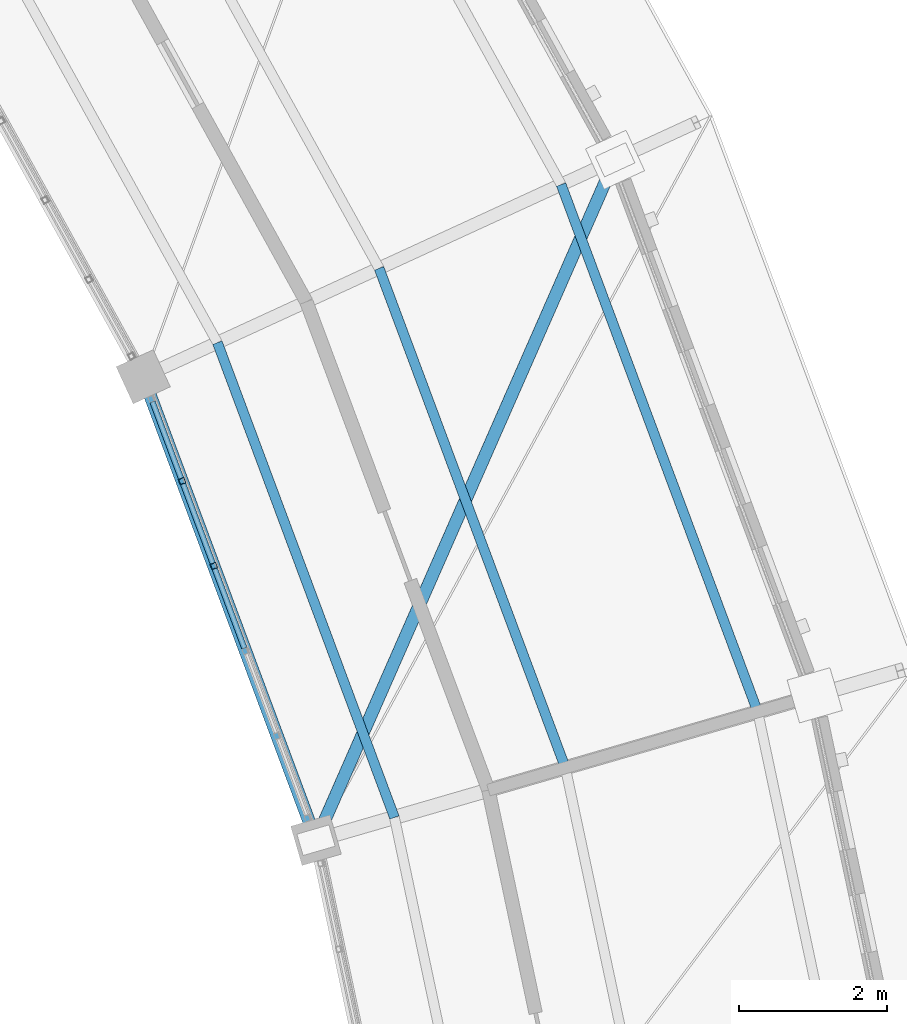
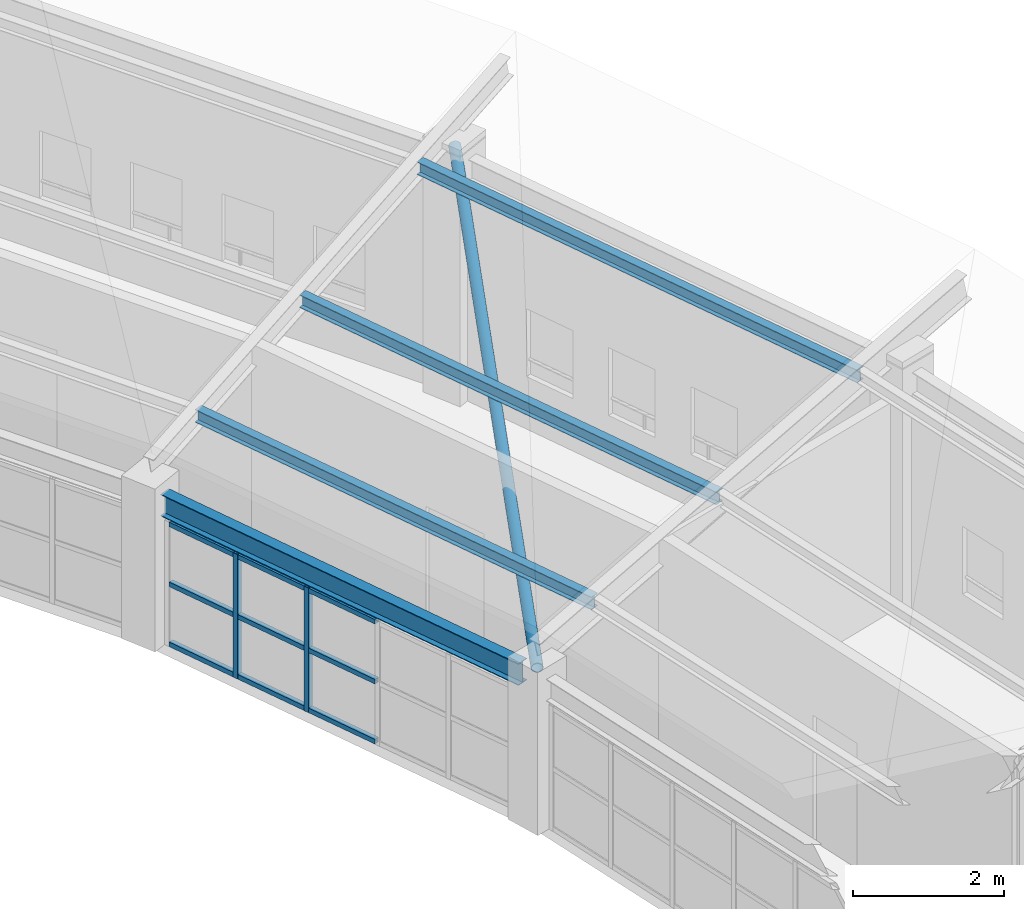
# One storey, part 98 of 149: 15 members, 1 beam, 1 element without a shape of its own.
"""IFC4 building model written with IfcOpenShell, lengths in metres."""

from ifc_helpers import new_model, si_unit, direction, frame, origin, origin_2d, place, context, subcontext, project, spatial, hollow_rectangle, hollow_circle, i_section, extrude, material, material_profile, profile_set, type_object, element, aggregate, save


model = new_model("IFC4")

# Units and contexts
model_context = context("Model", 3, precision=1e-05, world=origin(), true_north=direction((0.0, 1.0)))
body_context = subcontext(model_context, "Body", "Model", "MODEL_VIEW")
ifc_project = project(units=[si_unit("LENGTHUNIT", "METRE"), si_unit("AREAUNIT", "SQUARE_METRE"), si_unit("VOLUMEUNIT", "CUBIC_METRE"), si_unit("PLANEANGLEUNIT", "RADIAN"), si_unit("MASSUNIT", "GRAM", prefix="KILO")], contexts=[model_context])

# Site, building, storey
site_placement = place(None, origin())
site = spatial("IfcSite", under=ifc_project, at=site_placement, CompositionType="ELEMENT")
building_placement = place(site_placement, origin())
building = spatial("IfcBuilding", under=site, at=building_placement, Name="Celadon Cloister-Ring School", CompositionType="ELEMENT")
storey_placement = place(building_placement, frame((0.0, 0.0, 12.5)))
storey = spatial("IfcBuildingStorey", under=building, at=storey_placement, Name="L03", CompositionType="ELEMENT", Elevation=12.5)

# Curtain wall, members
ifc_material_1 = material(Name="Aluminium EN AW-6063 T6", Category="aluminium")
curtain_wall_type = type_object("IfcCurtainWallType", Name="CW-02", PredefinedType="USERDEFINED", material=ifc_material_1)
curtain_wall_placement = place(storey_placement, origin())
curtain_wall = element("IfcCurtainWall", 1, at=curtain_wall_placement, inside=storey, type_object=curtain_wall_type, Name="Curtain Wall 0074", ObjectType="CURTAIN WALL", PredefinedType="USERDEFINED")
ifc_material_2 = material(Name="Aluminium EN AW-6063 T6", Category="aluminium")
ifc_material_profile_1 = material_profile(ifc_material_2, hollow_rectangle(XDim=0.080078125, YDim=0.080078125, WallThickness=0.00390625, at=origin_2d()), Name="RHS80X80X4")
ifc_profile_set_1 = profile_set([ifc_material_profile_1], Name="Aluminium EN AW-6063 T6")
member_type_1 = type_object("IfcMemberType", Name="CM-03", PredefinedType="MULLION", material=ifc_profile_set_1)
member_1_placement = place(storey_placement, frame((128.8349609375, 75.25048828125, 0.0), z_axis=(0.0, 0.0, 1.0), x_axis=(-0.93694659603, -0.349472568576, 0.0)))
member_1 = element("IfcMember", 2, at=member_1_placement, type_object=member_type_1, Name="CW-02 mullion 4", PredefinedType="MULLION", context=body_context, shape_type="SweptSolid", body=[
    extrude(hollow_rectangle(XDim=0.080078125, YDim=0.080078125, WallThickness=0.00390625, at=origin_2d()), origin(), (0.0, 0.0, 1.0), 2.02001953125),
])
member_2_placement = place(storey_placement, frame((128.407958984375, 76.395263671875, 0.0), z_axis=(0.0, 0.0, 1.0), x_axis=(-0.93694659603, -0.349472568576, 0.0)))
member_2 = element("IfcMember", 3, at=member_2_placement, type_object=member_type_1, Name="CW-02 mullion 5", PredefinedType="MULLION", context=body_context, shape_type="SweptSolid", body=[
    extrude(hollow_rectangle(XDim=0.080078125, YDim=0.080078125, WallThickness=0.00390625, at=origin_2d()), origin(), (0.0, 0.0, 1.0), 2.02001953125),
])
ifc_material_3 = material(Name="Aluminium EN AW-6063 T6", Category="aluminium")
ifc_material_profile_2 = material_profile(ifc_material_3, hollow_rectangle(XDim=0.074951171875, YDim=0.074951171875, WallThickness=0.00390625, at=origin_2d()), Name="RHS75X75X4")
ifc_profile_set_2 = profile_set([ifc_material_profile_2], Name="Aluminium EN AW-6063 T6")
member_type_2 = type_object("IfcMemberType", Name="CTM-03", PredefinedType="USERDEFINED", material=ifc_profile_set_2)
member_3_placement = place(storey_placement, frame((129.248046875, 74.14306640625, 0.03759765625), z_axis=(-0.349576513866, 0.936907818813, 0.0), x_axis=(-0.936907818813, -0.349576513866, 0.0)))
member_3 = element("IfcMember", 4, at=member_3_placement, type_object=member_type_2, Name="CW-02 transom 3.1", ObjectType="TRANSOM", PredefinedType="USERDEFINED", context=body_context, shape_type="SweptSolid", body=[
    extrude(hollow_rectangle(XDim=0.074951171875, YDim=0.074951171875, WallThickness=0.00390625, at=origin_2d()), origin(), (0.0, 0.0, 1.0), 1.141845703125),
])
member_4_placement = place(storey_placement, frame((129.248046875, 74.14306640625, 1.010009765625), z_axis=(-0.349576513866, 0.936907818813, 0.0), x_axis=(-0.936907818813, -0.349576513866, 0.0)))
member_4 = element("IfcMember", 5, at=member_4_placement, type_object=member_type_2, Name="CW-02 transom 3.2", ObjectType="TRANSOM", PredefinedType="USERDEFINED", context=body_context, shape_type="SweptSolid", body=[
    extrude(hollow_rectangle(XDim=0.074951171875, YDim=0.074951171875, WallThickness=0.00390625, at=origin_2d()), origin(), (0.0, 0.0, 1.0), 1.141845703125),
])
member_5_placement = place(storey_placement, frame((129.248046875, 74.14306640625, 1.982421875), z_axis=(-0.349576513866, 0.936907818813, 0.0), x_axis=(-0.936907818813, -0.349576513866, 0.0)))
member_5 = element("IfcMember", 6, at=member_5_placement, type_object=member_type_2, Name="CW-02 transom 3.3", ObjectType="TRANSOM", PredefinedType="USERDEFINED", context=body_context, shape_type="SweptSolid", body=[
    extrude(hollow_rectangle(XDim=0.074951171875, YDim=0.074951171875, WallThickness=0.00390625, at=origin_2d()), origin(), (0.0, 0.0, 1.0), 1.141845703125),
])
member_6_placement = place(storey_placement, frame((128.821044921875, 75.287841796875, 0.03759765625), z_axis=(-0.349576513866, 0.936907818813, 0.0), x_axis=(-0.936907818813, -0.349576513866, 0.0)))
member_6 = element("IfcMember", 7, at=member_6_placement, type_object=member_type_2, Name="CW-02 transom 4.1", ObjectType="TRANSOM", PredefinedType="USERDEFINED", context=body_context, shape_type="SweptSolid", body=[
    extrude(hollow_rectangle(XDim=0.074951171875, YDim=0.074951171875, WallThickness=0.00390625, at=origin_2d()), origin(), (0.0, 0.0, 1.0), 1.141845703125),
])
member_7_placement = place(storey_placement, frame((128.821044921875, 75.287841796875, 1.010009765625), z_axis=(-0.349576513866, 0.936907818813, 0.0), x_axis=(-0.936907818813, -0.349576513866, 0.0)))
member_7 = element("IfcMember", 8, at=member_7_placement, type_object=member_type_2, Name="CW-02 transom 4.2", ObjectType="TRANSOM", PredefinedType="USERDEFINED", context=body_context, shape_type="SweptSolid", body=[
    extrude(hollow_rectangle(XDim=0.074951171875, YDim=0.074951171875, WallThickness=0.00390625, at=origin_2d()), origin(), (0.0, 0.0, 1.0), 1.141845703125),
])
member_8_placement = place(storey_placement, frame((128.821044921875, 75.287841796875, 1.982421875), z_axis=(-0.349576513866, 0.936907818813, 0.0), x_axis=(-0.936907818813, -0.349576513866, 0.0)))
member_8 = element("IfcMember", 9, at=member_8_placement, type_object=member_type_2, Name="CW-02 transom 4.3", ObjectType="TRANSOM", PredefinedType="USERDEFINED", context=body_context, shape_type="SweptSolid", body=[
    extrude(hollow_rectangle(XDim=0.074951171875, YDim=0.074951171875, WallThickness=0.00390625, at=origin_2d()), origin(), (0.0, 0.0, 1.0), 1.141845703125),
])
member_9_placement = place(storey_placement, frame((128.39404296875, 76.4326171875, 0.03759765625), z_axis=(-0.34939893342, 0.936974057979, 0.0), x_axis=(-0.936974057979, -0.34939893342, 0.0)))
member_9 = element("IfcMember", 10, at=member_9_placement, type_object=member_type_2, Name="CW-02 transom 5.1", ObjectType="TRANSOM", PredefinedType="USERDEFINED", context=body_context, shape_type="SweptSolid", body=[
    extrude(hollow_rectangle(XDim=0.074951171875, YDim=0.074951171875, WallThickness=0.00390625, at=origin_2d()), origin(), (0.0, 0.0, 1.0), 1.101806640625),
])
member_10_placement = place(storey_placement, frame((128.39404296875, 76.4326171875, 1.010009765625), z_axis=(-0.34939893342, 0.936974057979, 0.0), x_axis=(-0.936974057979, -0.34939893342, 0.0)))
member_10 = element("IfcMember", 11, at=member_10_placement, type_object=member_type_2, Name="CW-02 transom 5.2", ObjectType="TRANSOM", PredefinedType="USERDEFINED", context=body_context, shape_type="SweptSolid", body=[
    extrude(hollow_rectangle(XDim=0.074951171875, YDim=0.074951171875, WallThickness=0.00390625, at=origin_2d()), origin(), (0.0, 0.0, 1.0), 1.101806640625),
])
member_11_placement = place(storey_placement, frame((128.39404296875, 76.4326171875, 1.982421875), z_axis=(-0.34939893342, 0.936974057979, 0.0), x_axis=(-0.936974057979, -0.34939893342, 0.0)))
member_11 = element("IfcMember", 12, at=member_11_placement, type_object=member_type_2, Name="CW-02 transom 5.3", ObjectType="TRANSOM", PredefinedType="USERDEFINED", context=body_context, shape_type="SweptSolid", body=[
    extrude(hollow_rectangle(XDim=0.074951171875, YDim=0.074951171875, WallThickness=0.00390625, at=origin_2d()), origin(), (0.0, 0.0, 1.0), 1.101806640625),
])
aggregate(curtain_wall, [member_1, member_2, member_3, member_4, member_5, member_6, member_7, member_8, member_9, member_10, member_11])

# Beam
ifc_material_4 = material(Name="Structural steel S355JR", Category="steel")
ifc_material_profile_3 = material_profile(ifc_material_4, i_section(OverallWidth=0.1708984375, OverallDepth=0.35498046875, WebThickness=0.007080078125, FlangeThickness=0.01171875, at=origin_2d()), Name="W360X51")
ifc_profile_set_3 = profile_set([ifc_material_profile_3], Name="Structural steel S355JR")
beam_type = type_object("IfcBeamType", Name="GT-08", PredefinedType="USERDEFINED", material=ifc_profile_set_3)
beam_placement = place(storey_placement, frame((130.1259765625, 71.7890625, 2.27197265625), z_axis=(-0.349465513072, 0.936949227639, 0.0), x_axis=(-0.936949227639, -0.349465513072, 0.0)))
element("IfcBeam", 13, at=beam_placement, inside=storey, type_object=beam_type, Name="Beam 0582", ObjectType="GIRDER", PredefinedType="USERDEFINED", context=body_context, shape_type="SweptSolid", body=[
    extrude(i_section(OverallWidth=0.1708984375, OverallDepth=0.35498046875, WebThickness=0.007080078125, FlangeThickness=0.01171875, at=origin_2d()), origin(), (0.0, 0.0, 1.0), 6.166748046875),
])

# Members
ifc_material_5 = material(Name="Structural steel S355JR", Category="steel")
ifc_material_profile_4 = material_profile(ifc_material_5, hollow_circle(Radius=0.084228515625, WallThickness=0.008056640625, at=origin_2d()), Name="CHS168.3X8")
ifc_profile_set_4 = profile_set([ifc_material_profile_4], Name="Structural steel S355JR")
member_type_3 = type_object("IfcMemberType", Name="MB-09", PredefinedType="BRACE", material=ifc_profile_set_4)
member_12_placement = place(storey_placement, frame((130.212890625, 71.554931640625, 2.449951171875), z_axis=(0.39794310915, 0.905380225014, 0.14808082264), x_axis=(-0.915473075298, 0.40237923456, 0.0)))
element("IfcMember", 14, at=member_12_placement, inside=storey, type_object=member_type_3, Name="Structural Member 0234", PredefinedType="BRACE", context=body_context, shape_type="SweptSolid", body=[
    extrude(hollow_circle(Radius=0.084228515625, WallThickness=0.008056640625, at=origin_2d()), origin(), (0.0, 0.0, 1.0), 10.129638671875),
])
ifc_material_6 = material(Name="Structural steel S355JR", Category="steel")
ifc_material_profile_5 = material_profile(ifc_material_6, i_section(OverallWidth=0.133056640625, OverallDepth=0.20703125, WebThickness=0.005859375, FlangeThickness=0.00830078125, at=origin_2d()), Name="W200X27")
ifc_profile_set_5 = profile_set([ifc_material_profile_5], Name="Structural steel S355JR")
member_type_4 = type_object("IfcMemberType", Name="MP-04", PredefinedType="PURLIN", material=ifc_profile_set_5)
member_13_placement = place(storey_placement, frame((131.27001953125, 71.861083984375, 2.970947265625), z_axis=(-0.349328728595, 0.93700023446, 0.0), x_axis=(-0.93700023446, -0.349328728595, 0.0)))
element("IfcMember", 15, at=member_13_placement, inside=storey, type_object=member_type_4, Name="Structural Member 0231", PredefinedType="PURLIN", context=body_context, shape_type="SweptSolid", body=[
    extrude(i_section(OverallWidth=0.133056640625, OverallDepth=0.20703125, WebThickness=0.005859375, FlangeThickness=0.00830078125, at=origin_2d()), origin(), (0.0, 0.0, 1.0), 6.830322265625),
])
member_14_placement = place(storey_placement, frame((133.573974609375, 72.531005859375, 3.4599609375), z_axis=(-0.349357672628, 0.936989443151, 0.0), x_axis=(-0.936989443151, -0.349357672628, 0.0)))
element("IfcMember", 16, at=member_14_placement, inside=storey, type_object=member_type_4, Name="Structural Member 0232", PredefinedType="PURLIN", context=body_context, shape_type="SweptSolid", body=[
    extrude(i_section(OverallWidth=0.133056640625, OverallDepth=0.20703125, WebThickness=0.005859375, FlangeThickness=0.00830078125, at=origin_2d()), origin(), (0.0, 0.0, 1.0), 7.1845703125),
])
member_15_placement = place(storey_placement, frame((136.1669921875, 73.283935546875, 4.073974609375), z_axis=(-0.34931348836, 0.937005916123, 0.0), x_axis=(-0.937005916123, -0.34931348836, 0.0)))
element("IfcMember", 17, at=member_15_placement, inside=storey, type_object=member_type_4, Name="Structural Member 0233", PredefinedType="PURLIN", context=body_context, shape_type="SweptSolid", body=[
    extrude(i_section(OverallWidth=0.133056640625, OverallDepth=0.20703125, WebThickness=0.005859375, FlangeThickness=0.00830078125, at=origin_2d()), origin(), (0.0, 0.0, 1.0), 7.5859375),
])

save(model, "model.ifc")
